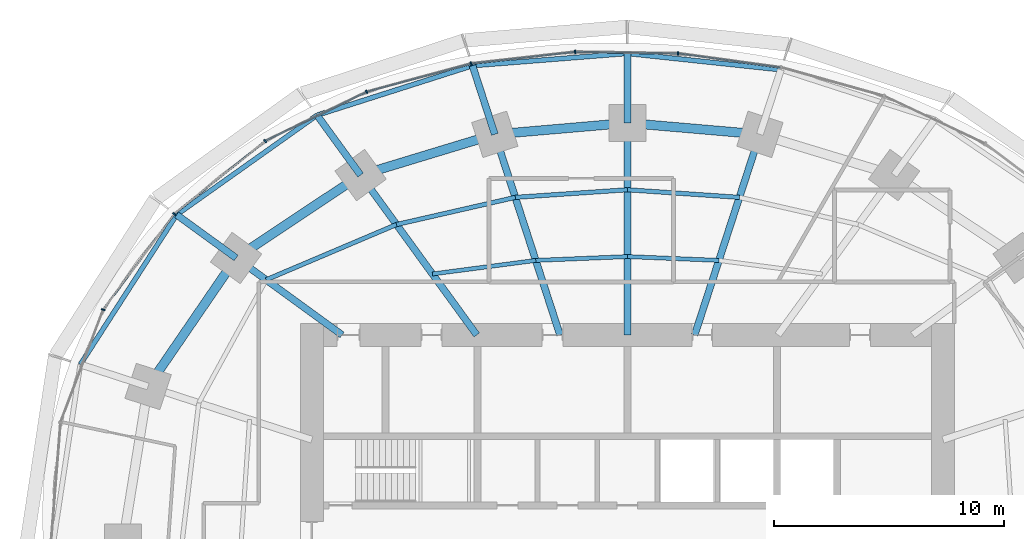
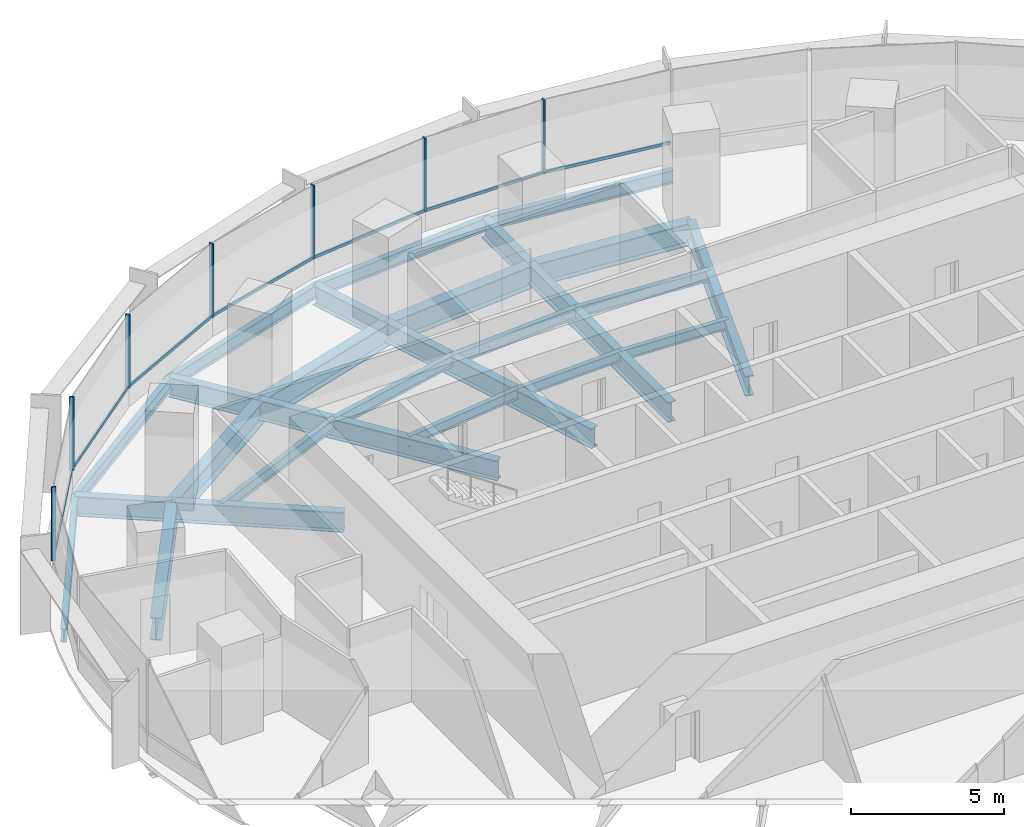
# One storey, part 7 of 14: 26 beams, 14 members, 2 elements without a shape of their own.
"""IFC4 building model written with IfcOpenShell, lengths in metres."""

from ifc_helpers import new_model, si_unit, direction, frame, origin, origin_2d, place, context, subcontext, project, spatial, rectangle, i_section, extrude, material, material_profile, profile_set, type_object, element, aggregate, save


model = new_model("IFC4")

# Units and contexts
model_context = context("Model", 3, precision=1e-05, world=origin(), true_north=direction((0.0, 1.0)))
body_context = subcontext(model_context, "Body", "Model", "MODEL_VIEW")
ifc_project = project(units=[si_unit("LENGTHUNIT", "METRE"), si_unit("AREAUNIT", "SQUARE_METRE"), si_unit("VOLUMEUNIT", "CUBIC_METRE"), si_unit("PLANEANGLEUNIT", "RADIAN"), si_unit("MASSUNIT", "GRAM", prefix="KILO")], contexts=[model_context])

# Site, building, storey
site_placement = place(None, origin())
site = spatial("IfcSite", under=ifc_project, at=site_placement, CompositionType="ELEMENT")
building_placement = place(site_placement, origin())
building = spatial("IfcBuilding", under=site, at=building_placement, Name="Marramba Exchange Tower", CompositionType="ELEMENT")
storey_placement = place(building_placement, frame((0.0, 0.0, 147.0)))
storey = spatial("IfcBuildingStorey", under=building, at=storey_placement, Name="L35", CompositionType="ELEMENT", Elevation=147.0)

# Beams
ifc_material_1 = material(Name="Steel AS/NZS 3679.2 grade 300", Category="steel")
ifc_material_profile_1 = material_profile(ifc_material_1, i_section(OverallWidth=0.300048828125, OverallDepth=0.800048828125, WebThickness=0.013916015625, FlangeThickness=0.031982421875, at=origin_2d()), Name="800WB192")
ifc_profile_set_1 = profile_set([ifc_material_profile_1], Name="Steel AS/NZS 3679.2 grade 300")
beam_type_1 = type_object("IfcBeamType", Name="Cantilever girder 800WB192", PredefinedType="BEAM", material=ifc_profile_set_1)
beam_1_placement = place(storey_placement, frame((0.0, 18.2041015625, -0.56005859375), z_axis=(0.0, 1.0, 0.0), x_axis=(-1.0, 0.0, 0.0)))
element("IfcBeam", 1, at=beam_1_placement, inside=storey, type_object=beam_type_1, Name="Cantilever girder L35 TC06", PredefinedType="BEAM", context=body_context, shape_type="SweptSolid", body=[
    extrude(i_section(OverallWidth=0.300048828125, OverallDepth=0.800048828125, WebThickness=0.013916015625, FlangeThickness=0.031982421875, at=origin_2d()), origin(), (0.0, 0.0, 1.0), 3.01904296875),
])
beam_2_placement = place(storey_placement, frame((-5.75390625, 17.70849609375, -0.56005859375), z_axis=(-0.309028002802, 0.95105293937, 0.0), x_axis=(-0.95105293937, -0.309028002802, 0.0)))
element("IfcBeam", 2, at=beam_2_placement, inside=storey, type_object=beam_type_1, Name="Cantilever girder L35 TC07", PredefinedType="BEAM", context=body_context, shape_type="SweptSolid", body=[
    extrude(i_section(OverallWidth=0.300048828125, OverallDepth=0.800048828125, WebThickness=0.013916015625, FlangeThickness=0.031982421875, at=origin_2d()), origin(), (0.0, 0.0, 1.0), 3.13720703125),
])
beam_3_placement = place(storey_placement, frame((-11.581298828125, 15.9404296875, -0.56005859375), z_axis=(-0.587828447158, 0.808985609706, 0.0), x_axis=(-0.808985609706, -0.587828447158, 0.0)))
element("IfcBeam", 3, at=beam_3_placement, inside=storey, type_object=beam_type_1, Name="Cantilever girder L35 TC08", PredefinedType="BEAM", context=body_context, shape_type="SweptSolid", body=[
    extrude(i_section(OverallWidth=0.300048828125, OverallDepth=0.800048828125, WebThickness=0.013916015625, FlangeThickness=0.031982421875, at=origin_2d()), origin(), (0.0, 0.0, 1.0), 3.214599609375),
])
beam_4_placement = place(storey_placement, frame((-16.98583984375, 12.3408203125, -0.56005859375), z_axis=(-0.809013857915, 0.587789569234, 0.0), x_axis=(-0.587789569234, -0.809013857915, 0.0)))
element("IfcBeam", 4, at=beam_4_placement, inside=storey, type_object=beam_type_1, Name="Cantilever girder L35 TC09", PredefinedType="BEAM", context=body_context, shape_type="SweptSolid", body=[
    extrude(i_section(OverallWidth=0.300048828125, OverallDepth=0.800048828125, WebThickness=0.013916015625, FlangeThickness=0.031982421875, at=origin_2d()), origin(), (0.0, 0.0, 1.0), 3.191650390625),
])
ifc_material_2 = material(Name="Steel AS/NZS 3679.1 grade 300", Category="steel")
ifc_material_profile_2 = material_profile(ifc_material_2, i_section(OverallWidth=0.177978515625, OverallDepth=0.406005859375, WebThickness=0.0078125, FlangeThickness=0.0126953125, FilletRadius=0.011474609375, at=origin_2d()), Name="410UB59.7")
ifc_profile_set_2 = profile_set([ifc_material_profile_2], Name="Steel AS/NZS 3679.1 grade 300")
beam_type_2 = type_object("IfcBeamType", Name="Floor joist 410UB59.7", PredefinedType="JOIST", material=ifc_profile_set_2)
for number, where, z_axis, x_axis, name in (
    (5, (3.975830078125, 12.236083984375, -0.363037109375), (-0.999137002892, 0.041536122257, 0.0), (-0.041536122257, -0.999137002892, 0.0), "Joist L35 bay 05 row 1"),
    (6, (0.0, 12.4013671875, -0.363037109375), (-0.999137002892, -0.041536122257, 0.0), (0.041536122257, -0.999137002892, 0.0), "Joist L35 bay 06 row 1"),
):
    element("IfcBeam", number, at=place(storey_placement, frame(where, z_axis=z_axis, x_axis=x_axis)), inside=storey, type_object=beam_type_2, Name=name, PredefinedType="JOIST", context=body_context, shape_type="SweptSolid", body=[
        extrude(i_section(OverallWidth=0.177978515625, OverallDepth=0.406005859375, WebThickness=0.0078125, FlangeThickness=0.0126953125, FilletRadius=0.011474609375, at=origin_2d()), origin(), (0.0, 0.0, 1.0), 3.979248046875),
    ])
beam_5_placement = place(storey_placement, frame((-3.975830078125, 12.236083984375, -0.363037109375), z_axis=(-0.991480538255, -0.130254912618, 0.0), x_axis=(0.130254912618, -0.991480538255, 0.0)))
element("IfcBeam", 7, at=beam_5_placement, inside=storey, type_object=beam_type_2, Name="Joist L35 bay 07 row 1", PredefinedType="JOIST", context=body_context, shape_type="SweptSolid", body=[
    extrude(i_section(OverallWidth=0.177978515625, OverallDepth=0.406005859375, WebThickness=0.0078125, FlangeThickness=0.0126953125, FilletRadius=0.011474609375, at=origin_2d()), origin(), (0.0, 0.0, 1.0), 4.524658203125),
])
ifc_material_profile_3 = material_profile(ifc_material_2, i_section(OverallWidth=0.18994140625, OverallDepth=0.4541015625, WebThickness=0.008544921875, FlangeThickness=0.0126953125, FilletRadius=0.011474609375, at=origin_2d()), Name="460UB67.1")
ifc_profile_set_3 = profile_set([ifc_material_profile_3], Name="Steel AS/NZS 3679.1 grade 300")
beam_type_3 = type_object("IfcBeamType", Name="Floor joist 460UB67.1", PredefinedType="JOIST", material=ifc_profile_set_3)
for number, where, z_axis, x_axis, name in (
    (8, (4.86474609375, 14.972412109375, -0.386962890625), (-0.997702652202, 0.067745241816, 0.0), (-0.067745241816, -0.997702652202, 0.0), "Joist L35 bay 05 row 2"),
    (9, (0.0, 15.302734375, -0.386962890625), (-0.997702652202, -0.067745241816, 0.0), (0.067745241816, -0.997702652202, 0.0), "Joist L35 bay 06 row 2"),
):
    element("IfcBeam", number, at=place(storey_placement, frame(where, z_axis=z_axis, x_axis=x_axis)), inside=storey, type_object=beam_type_3, Name=name, PredefinedType="JOIST", context=body_context, shape_type="SweptSolid", body=[
        extrude(i_section(OverallWidth=0.18994140625, OverallDepth=0.4541015625, WebThickness=0.008544921875, FlangeThickness=0.0126953125, FilletRadius=0.011474609375, at=origin_2d()), origin(), (0.0, 0.0, 1.0), 4.8759765625),
    ])
beam_6_placement = place(storey_placement, frame((-4.86474609375, 14.972412109375, -0.386962890625), z_axis=(-0.974859652292, -0.222819788916, 0.0), x_axis=(0.222819788916, -0.974859652292, 0.0)))
element("IfcBeam", 10, at=beam_6_placement, inside=storey, type_object=beam_type_3, Name="Joist L35 bay 07 row 2", PredefinedType="JOIST", context=body_context, shape_type="SweptSolid", body=[
    extrude(i_section(OverallWidth=0.18994140625, OverallDepth=0.4541015625, WebThickness=0.008544921875, FlangeThickness=0.0126953125, FilletRadius=0.011474609375, at=origin_2d()), origin(), (0.0, 0.0, 1.0), 5.2900390625),
])
beam_7_placement = place(storey_placement, frame((-10.021728515625, 13.793701171875, -0.386962890625), z_axis=(-0.920674336375, -0.390331610738, 0.0), x_axis=(0.390331610738, -0.920674336375, 0.0)))
element("IfcBeam", 11, at=beam_7_placement, inside=storey, type_object=beam_type_3, Name="Joist L35 bay 08 row 2", PredefinedType="JOIST", context=body_context, shape_type="SweptSolid", body=[
    extrude(i_section(OverallWidth=0.18994140625, OverallDepth=0.4541015625, WebThickness=0.008544921875, FlangeThickness=0.0126953125, FilletRadius=0.011474609375, at=origin_2d()), origin(), (0.0, 0.0, 1.0), 6.1484375),
])

# Curtain wall, members
ifc_material_3 = material(Name="Aluminium framing, bronze anodised", Category="aluminium")
curtain_wall_type = type_object("IfcCurtainWallType", Name="Office ribbon curtain wall", PredefinedType="USERDEFINED", material=ifc_material_3)
curtain_wall_1_placement = place(storey_placement, origin())
curtain_wall_1 = element("IfcCurtainWall", 12, at=curtain_wall_1_placement, inside=storey, type_object=curtain_wall_type, Name="Curtain wall CW4 L35 F06-F10", ObjectType="RIBBON CURTAIN WALL", PredefinedType="USERDEFINED")
ifc_material_4 = material(Name="Aluminium mullion, bronze anodised", Category="aluminium")
ifc_material_profile_4 = material_profile(ifc_material_4, rectangle(XDim=0.159912109375, YDim=0.06005859375, at=origin_2d()), Name="CW4 mullion 60x160")
ifc_profile_set_4 = profile_set([ifc_material_profile_4], Name="Aluminium mullion, bronze anodised")
member_type_1 = type_object("IfcMemberType", Name="Office ribbon curtain wall mullion", PredefinedType="MULLION", material=ifc_profile_set_4)
member_1_placement = place(storey_placement, frame((2.200439453125, 21.2216796875, 0.800048828125), z_axis=(0.0, 0.0, 1.0), x_axis=(-0.01575578169, -0.999875869968, 0.0)))
member_1 = element("IfcMember", 13, at=member_1_placement, type_object=member_type_1, Name="CW4 mullion 1", PredefinedType="MULLION", context=body_context, shape_type="SweptSolid", body=[
    extrude(rectangle(XDim=0.159912109375, YDim=0.06005859375, at=origin_2d()), origin(), (0.0, 0.0, 1.0), 2.93994140625),
])
member_2_placement = place(storey_placement, frame((-2.267578125, 21.288330078125, 0.800048828125), z_axis=(0.0, 0.0, 1.0), x_axis=(0.110973233233, -0.993823395532, 0.0)))
member_2 = element("IfcMember", 14, at=member_2_placement, type_object=member_type_1, Name="CW4 mullion 1", PredefinedType="MULLION", context=body_context, shape_type="SweptSolid", body=[
    extrude(rectangle(XDim=0.159912109375, YDim=0.06005859375, at=origin_2d()), origin(), (0.0, 0.0, 1.0), 2.93994140625),
])
member_3_placement = place(storey_placement, frame((-6.783203125, 20.779541015625, 0.800048828125), z_axis=(0.0, 0.0, 1.0), x_axis=(0.260321294588, -0.965522047176, 0.0)))
member_3 = element("IfcMember", 15, at=member_3_placement, type_object=member_type_1, Name="CW4 mullion 1", PredefinedType="MULLION", context=body_context, shape_type="SweptSolid", body=[
    extrude(rectangle(XDim=0.159912109375, YDim=0.06005859375, at=origin_2d()), origin(), (0.0, 0.0, 1.0), 2.93994140625),
])

curtain_wall_2_placement = place(storey_placement, origin())
curtain_wall_2 = element("IfcCurtainWall", 16, at=curtain_wall_2_placement, inside=storey, type_object=curtain_wall_type, Name="Curtain wall CW4 L35 F11-F15", ObjectType="RIBBON CURTAIN WALL", PredefinedType="USERDEFINED")
member_4_placement = place(storey_placement, frame((-11.32177734375, 19.550048828125, 0.800048828125), z_axis=(0.0, 0.0, 1.0), x_axis=(0.435427626771, -0.900223739881, 0.0)))
member_4 = element("IfcMember", 17, at=member_4_placement, type_object=member_type_1, Name="CW4 mullion 1", PredefinedType="MULLION", context=body_context, shape_type="SweptSolid", body=[
    extrude(rectangle(XDim=0.159912109375, YDim=0.06005859375, at=origin_2d()), origin(), (0.0, 0.0, 1.0), 2.93994140625),
])
member_5_placement = place(storey_placement, frame((-15.720703125, 17.414794921875, 0.800048828125), z_axis=(0.0, 0.0, 1.0), x_axis=(0.624307950145, -0.78117833008, 0.0)))
member_5 = element("IfcMember", 18, at=member_5_placement, type_object=member_type_1, Name="CW4 mullion 1", PredefinedType="MULLION", context=body_context, shape_type="SweptSolid", body=[
    extrude(rectangle(XDim=0.159912109375, YDim=0.06005859375, at=origin_2d()), origin(), (0.0, 0.0, 1.0), 2.93994140625),
])
member_6_placement = place(storey_placement, frame((-19.666748046875, 14.251708984375, 0.800048828125), z_axis=(0.0, 0.0, 1.0), x_axis=(0.80171686484, -0.597703997504, 0.0)))
member_6 = element("IfcMember", 19, at=member_6_placement, type_object=member_type_1, Name="CW4 mullion 1", PredefinedType="MULLION", context=body_context, shape_type="SweptSolid", body=[
    extrude(rectangle(XDim=0.159912109375, YDim=0.06005859375, at=origin_2d()), origin(), (0.0, 0.0, 1.0), 2.93994140625),
])
member_7_placement = place(storey_placement, frame((-22.75341796875, 10.09765625, 0.800048828125), z_axis=(0.0, 0.0, 1.0), x_axis=(0.934925346317, -0.354844468484, 0.0)))
member_7 = element("IfcMember", 20, at=member_7_placement, type_object=member_type_1, Name="CW4 mullion 1", PredefinedType="MULLION", context=body_context, shape_type="SweptSolid", body=[
    extrude(rectangle(XDim=0.159912109375, YDim=0.06005859375, at=origin_2d()), origin(), (0.0, 0.0, 1.0), 2.93994140625),
])

# Member
ifc_material_5 = material(Name="Aluminium transom, bronze anodised", Category="aluminium")
ifc_material_profile_5 = material_profile(ifc_material_5, rectangle(XDim=0.06005859375, YDim=0.1201171875, at=origin_2d()), Name="CW4 transom 60x120")
ifc_profile_set_5 = profile_set([ifc_material_profile_5], Name="Aluminium transom, bronze anodised")
member_type_2 = type_object("IfcMemberType", Name="Office ribbon curtain wall transom", PredefinedType="USERDEFINED", material=ifc_profile_set_5)
member_8_placement = place(storey_placement, frame((6.636962890625, 20.6171875, 0.830078125), z_axis=(-0.990736067897, 0.135801486619, 0.0), x_axis=(-0.135801486619, -0.990736067897, 0.0)))
member_8 = element("IfcMember", 21, at=member_8_placement, type_object=member_type_2, Name="CW4 sill transom", ObjectType="TRANSOM", PredefinedType="USERDEFINED", context=body_context, shape_type="SweptSolid", body=[
    extrude(rectangle(XDim=0.06005859375, YDim=0.1201171875, at=origin_2d()), origin(), (0.0, 0.0, 1.0), 4.44775390625),
])

member_9_placement = place(storey_placement, frame((2.17041015625, 21.22216796875, 0.830078125), z_axis=(-0.999875452363, 0.015782260962, 0.0), x_axis=(-0.015782260962, -0.999875452363, 0.0)))
member_9 = element("IfcMember", 22, at=member_9_placement, type_object=member_type_2, Name="CW4 sill transom", ObjectType="TRANSOM", PredefinedType="USERDEFINED", context=body_context, shape_type="SweptSolid", body=[
    extrude(rectangle(XDim=0.06005859375, YDim=0.1201171875, at=origin_2d()), origin(), (0.0, 0.0, 1.0), 4.40869140625),
])

member_10_placement = place(storey_placement, frame((-2.29736328125, 21.284912109375, 0.830078125), z_axis=(-0.993825837835, -0.110951358943, 0.0), x_axis=(0.110951358943, -0.993825837835, 0.0)))
member_10 = element("IfcMember", 23, at=member_10_placement, type_object=member_type_2, Name="CW4 sill transom", ObjectType="TRANSOM", PredefinedType="USERDEFINED", context=body_context, shape_type="SweptSolid", body=[
    extrude(rectangle(XDim=0.06005859375, YDim=0.1201171875, at=origin_2d()), origin(), (0.0, 0.0, 1.0), 4.484375),
])

member_11_placement = place(storey_placement, frame((-6.812255859375, 20.771728515625, 0.830078125), z_axis=(-0.965511085148, -0.260361948942, 0.0), x_axis=(0.260361948942, -0.965511085148, 0.0)))
member_11 = element("IfcMember", 24, at=member_11_placement, type_object=member_type_2, Name="CW4 sill transom", ObjectType="TRANSOM", PredefinedType="USERDEFINED", context=body_context, shape_type="SweptSolid", body=[
    extrude(rectangle(XDim=0.06005859375, YDim=0.1201171875, at=origin_2d()), origin(), (0.0, 0.0, 1.0), 4.642578125),
])

aggregate(curtain_wall_1, [member_8, member_1, member_9, member_2, member_10, member_3, member_11])

member_12_placement = place(storey_placement, frame((-11.348876953125, 19.536865234375, 0.830078125), z_axis=(-0.900223166385, -0.435428812442, 0.0), x_axis=(0.435428812442, -0.900223166385, 0.0)))
member_12 = element("IfcMember", 25, at=member_12_placement, type_object=member_type_2, Name="CW4 sill transom", ObjectType="TRANSOM", PredefinedType="USERDEFINED", context=body_context, shape_type="SweptSolid", body=[
    extrude(rectangle(XDim=0.06005859375, YDim=0.1201171875, at=origin_2d()), origin(), (0.0, 0.0, 1.0), 4.830322265625),
])

member_13_placement = place(storey_placement, frame((-15.744140625, 17.396240234375, 0.830078125), z_axis=(-0.781164169531, -0.624325668414, 0.0), x_axis=(0.624325668414, -0.781164169531, 0.0)))
member_13 = element("IfcMember", 26, at=member_13_placement, type_object=member_type_2, Name="CW4 sill transom", ObjectType="TRANSOM", PredefinedType="USERDEFINED", context=body_context, shape_type="SweptSolid", body=[
    extrude(rectangle(XDim=0.06005859375, YDim=0.1201171875, at=origin_2d()), origin(), (0.0, 0.0, 1.0), 4.998291015625),
])

member_14_placement = place(storey_placement, frame((-19.6845703125, 14.2275390625, 0.830078125), z_axis=(-0.597714731658, -0.801708862093, 0.0), x_axis=(0.801708862093, -0.597714731658, 0.0)))
member_14 = element("IfcMember", 27, at=member_14_placement, type_object=member_type_2, Name="CW4 sill transom", ObjectType="TRANSOM", PredefinedType="USERDEFINED", context=body_context, shape_type="SweptSolid", body=[
    extrude(rectangle(XDim=0.06005859375, YDim=0.1201171875, at=origin_2d()), origin(), (0.0, 0.0, 1.0), 5.1162109375),
])

aggregate(curtain_wall_2, [member_4, member_12, member_5, member_13, member_6, member_14, member_7])

# Beams
ifc_material_profile_6 = material_profile(ifc_material_1, i_section(OverallWidth=0.300048828125, OverallDepth=0.800048828125, WebThickness=0.013916015625, FlangeThickness=0.031982421875, at=origin_2d()), Name="800WB192")
ifc_profile_set_6 = profile_set([ifc_material_profile_6], Name="Steel AS/NZS 3679.2 grade 300")
beam_type_4 = type_object("IfcBeamType", Name="Radial girder 800WB192", PredefinedType="BEAM", material=ifc_profile_set_6)
beam_8_placement = place(storey_placement, frame((2.92431640625, 9.0, -0.56005859375), z_axis=(0.309019754162, 0.951055619582, 0.0), x_axis=(-0.951055619582, 0.309019754162, 0.0)))
element("IfcBeam", 28, at=beam_8_placement, inside=storey, type_object=beam_type_4, Name="Radial girder L35 TC05", PredefinedType="BEAM", context=body_context, shape_type="SweptSolid", body=[
    extrude(i_section(OverallWidth=0.300048828125, OverallDepth=0.800048828125, WebThickness=0.013916015625, FlangeThickness=0.031982421875, at=origin_2d()), origin(), (0.0, 0.0, 1.0), 9.15673828125),
])
beam_9_placement = place(storey_placement, frame((0.0, 9.0, -0.56005859375), z_axis=(0.0, 1.0, 0.0), x_axis=(-1.0, 0.0, 0.0)))
element("IfcBeam", 29, at=beam_9_placement, inside=storey, type_object=beam_type_4, Name="Radial girder L35 TC06", PredefinedType="BEAM", context=body_context, shape_type="SweptSolid", body=[
    extrude(i_section(OverallWidth=0.300048828125, OverallDepth=0.800048828125, WebThickness=0.013916015625, FlangeThickness=0.031982421875, at=origin_2d()), origin(), (0.0, 0.0, 1.0), 9.2041015625),
])
beam_10_placement = place(storey_placement, frame((-2.92431640625, 9.0, -0.56005859375), z_axis=(-0.309019754162, 0.951055619582, 0.0), x_axis=(-0.951055619582, -0.309019754162, 0.0)))
element("IfcBeam", 30, at=beam_10_placement, inside=storey, type_object=beam_type_4, Name="Radial girder L35 TC07", PredefinedType="BEAM", context=body_context, shape_type="SweptSolid", body=[
    extrude(i_section(OverallWidth=0.300048828125, OverallDepth=0.800048828125, WebThickness=0.013916015625, FlangeThickness=0.031982421875, at=origin_2d()), origin(), (0.0, 0.0, 1.0), 9.15673828125),
])
beam_11_placement = place(storey_placement, frame((-6.538818359375, 9.0, -0.56005859375), z_axis=(-0.587782439969, 0.80901903764, 0.0), x_axis=(-0.80901903764, -0.587782439969, 0.0)))
element("IfcBeam", 31, at=beam_11_placement, inside=storey, type_object=beam_type_4, Name="Radial girder L35 TC08", PredefinedType="BEAM", context=body_context, shape_type="SweptSolid", body=[
    extrude(i_section(OverallWidth=0.300048828125, OverallDepth=0.800048828125, WebThickness=0.013916015625, FlangeThickness=0.031982421875, at=origin_2d()), origin(), (0.0, 0.0, 1.0), 8.578857421875),
])
beam_12_placement = place(storey_placement, frame((-12.387451171875, 9.0, -0.56005859375), z_axis=(-0.809025746925, 0.587773205252, 0.0), x_axis=(-0.587773205252, -0.809025746925, 0.0)))
element("IfcBeam", 32, at=beam_12_placement, inside=storey, type_object=beam_type_4, Name="Radial girder L35 TC09", PredefinedType="BEAM", context=body_context, shape_type="SweptSolid", body=[
    extrude(i_section(OverallWidth=0.300048828125, OverallDepth=0.800048828125, WebThickness=0.013916015625, FlangeThickness=0.031982421875, at=origin_2d()), origin(), (0.0, 0.0, 1.0), 5.683837890625),
])
ifc_material_profile_7 = material_profile(ifc_material_1, i_section(OverallWidth=0.39990234375, OverallDepth=0.89990234375, WebThickness=0.01611328125, FlangeThickness=0.031982421875, at=origin_2d()), Name="900WB282")
ifc_profile_set_7 = profile_set([ifc_material_profile_7], Name="Steel AS/NZS 3679.2 grade 300")
beam_type_5 = type_object("IfcBeamType", Name="Ring beam 900WB282", PredefinedType="SPANDREL", material=ifc_profile_set_7)
for number, where, z_axis, x_axis, name in (
    (33, (5.75390625, 17.70849609375, -0.610107421875), (-0.996311003275, 0.085815993578, 0.0), (-0.085815993578, -0.996311003275, 0.0), "Ring beam L35 TC05-TC06"),
    (34, (0.0, 18.2041015625, -0.610107421875), (-0.996311003275, -0.085815993578, 0.0), (0.085815993578, -0.996311003275, 0.0), "Ring beam L35 TC06-TC07"),
):
    element("IfcBeam", number, at=place(storey_placement, frame(where, z_axis=z_axis, x_axis=x_axis)), inside=storey, type_object=beam_type_5, Name=name, PredefinedType="SPANDREL", context=body_context, shape_type="SweptSolid", body=[
        extrude(i_section(OverallWidth=0.39990234375, OverallDepth=0.89990234375, WebThickness=0.01611328125, FlangeThickness=0.031982421875, at=origin_2d()), origin(), (0.0, 0.0, 1.0), 5.775146484375),
    ])
beam_13_placement = place(storey_placement, frame((-5.75390625, 17.70849609375, -0.610107421875), z_axis=(-0.956924542524, -0.290336735387, 0.0), x_axis=(0.290336735387, -0.956924542524, 0.0)))
element("IfcBeam", 35, at=beam_13_placement, inside=storey, type_object=beam_type_5, Name="Ring beam L35 TC07-TC08", PredefinedType="SPANDREL", context=body_context, shape_type="SweptSolid", body=[
    extrude(i_section(OverallWidth=0.39990234375, OverallDepth=0.89990234375, WebThickness=0.01611328125, FlangeThickness=0.031982421875, at=origin_2d()), origin(), (0.0, 0.0, 1.0), 6.089599609375),
])
beam_14_placement = place(storey_placement, frame((-11.581298828125, 15.9404296875, -0.610107421875), z_axis=(-0.832293151443, -0.554335737673, 0.0), x_axis=(0.554335737673, -0.832293151443, 0.0)))
element("IfcBeam", 36, at=beam_14_placement, inside=storey, type_object=beam_type_5, Name="Ring beam L35 TC08-TC09", PredefinedType="SPANDREL", context=body_context, shape_type="SweptSolid", body=[
    extrude(i_section(OverallWidth=0.39990234375, OverallDepth=0.89990234375, WebThickness=0.01611328125, FlangeThickness=0.031982421875, at=origin_2d()), origin(), (0.0, 0.0, 1.0), 6.49365234375),
])
beam_15_placement = place(storey_placement, frame((-16.98583984375, 12.3408203125, -0.610107421875), z_axis=(-0.56516002054, -0.824981303535, 0.0), x_axis=(0.824981303535, -0.56516002054, 0.0)))
element("IfcBeam", 37, at=beam_15_placement, inside=storey, type_object=beam_type_5, Name="Ring beam L35 TC09-TC10", PredefinedType="SPANDREL", context=body_context, shape_type="SweptSolid", body=[
    extrude(i_section(OverallWidth=0.39990234375, OverallDepth=0.89990234375, WebThickness=0.01611328125, FlangeThickness=0.031982421875, at=origin_2d()), origin(), (0.0, 0.0, 1.0), 6.763671875),
])
ifc_material_profile_8 = material_profile(ifc_material_2, i_section(OverallWidth=0.208984375, OverallDepth=0.528076171875, WebThickness=0.009521484375, FlangeThickness=0.01318359375, FilletRadius=0.013916015625, at=origin_2d()), Name="530UB82.0")
ifc_profile_set_8 = profile_set([ifc_material_profile_8], Name="Steel AS/NZS 3679.1 grade 300")
beam_type_6 = type_object("IfcBeamType", Name="Slab edge beam 530UB82.0", PredefinedType="SPANDREL", material=ifc_profile_set_8)
beam_16_placement = place(storey_placement, frame((6.66552734375, 20.51416015625, -0.424072265625), z_axis=(-0.994390706415, 0.105769196815, 0.0), x_axis=(-0.105769196815, -0.994390706415, 0.0)))
element("IfcBeam", 38, at=beam_16_placement, inside=storey, type_object=beam_type_6, Name="Slab edge beam L35 TC05-TC06", PredefinedType="SPANDREL", context=body_context, shape_type="SweptSolid", body=[
    extrude(i_section(OverallWidth=0.208984375, OverallDepth=0.528076171875, WebThickness=0.009521484375, FlangeThickness=0.01318359375, FilletRadius=0.013916015625, at=origin_2d()), origin(), (0.0, 0.0, 1.0), 6.703125),
])
beam_17_placement = place(storey_placement, frame((0.0, 21.22314453125, -0.424072265625), z_axis=(-0.996895681721, -0.078733726996, 0.0), x_axis=(0.078733726996, -0.996895681721, 0.0)))
element("IfcBeam", 39, at=beam_17_placement, inside=storey, type_object=beam_type_6, Name="Slab edge beam L35 TC06-TC07", PredefinedType="SPANDREL", context=body_context, shape_type="SweptSolid", body=[
    extrude(i_section(OverallWidth=0.208984375, OverallDepth=0.528076171875, WebThickness=0.009521484375, FlangeThickness=0.01318359375, FilletRadius=0.013916015625, at=origin_2d()), origin(), (0.0, 0.0, 1.0), 6.744384765625),
])
beam_18_placement = place(storey_placement, frame((-6.723388671875, 20.692138671875, -0.424072265625), z_axis=(-0.952755400854, -0.303738614839, 0.0), x_axis=(0.303738614839, -0.952755400854, 0.0)))
element("IfcBeam", 40, at=beam_18_placement, inside=storey, type_object=beam_type_6, Name="Slab edge beam L35 TC07-TC08", PredefinedType="SPANDREL", context=body_context, shape_type="SweptSolid", body=[
    extrude(i_section(OverallWidth=0.208984375, OverallDepth=0.528076171875, WebThickness=0.009521484375, FlangeThickness=0.01318359375, FilletRadius=0.013916015625, at=origin_2d()), origin(), (0.0, 0.0, 1.0), 7.08203125),
])
beam_19_placement = place(storey_placement, frame((-13.470947265625, 18.541015625, -0.424072265625), z_axis=(-0.815673202412, -0.578512944425, 0.0), x_axis=(0.578512944425, -0.815673202412, 0.0)))
element("IfcBeam", 41, at=beam_19_placement, inside=storey, type_object=beam_type_6, Name="Slab edge beam L35 TC08-TC09", PredefinedType="SPANDREL", context=body_context, shape_type="SweptSolid", body=[
    extrude(i_section(OverallWidth=0.208984375, OverallDepth=0.528076171875, WebThickness=0.009521484375, FlangeThickness=0.01318359375, FilletRadius=0.013916015625, at=origin_2d()), origin(), (0.0, 0.0, 1.0), 7.474609375),
])
beam_20_placement = place(storey_placement, frame((-19.56787109375, 14.216796875, -0.424072265625), z_axis=(-0.541060886597, -0.840983422544, 0.0), x_axis=(0.840983422544, -0.541060886597, 0.0)))
element("IfcBeam", 42, at=beam_20_placement, inside=storey, type_object=beam_type_6, Name="Slab edge beam L35 TC09-TC10", PredefinedType="SPANDREL", context=body_context, shape_type="SweptSolid", body=[
    extrude(i_section(OverallWidth=0.208984375, OverallDepth=0.528076171875, WebThickness=0.009521484375, FlangeThickness=0.01318359375, FilletRadius=0.013916015625, at=origin_2d()), origin(), (0.0, 0.0, 1.0), 7.72900390625),
])

save(model, "model.ifc")
